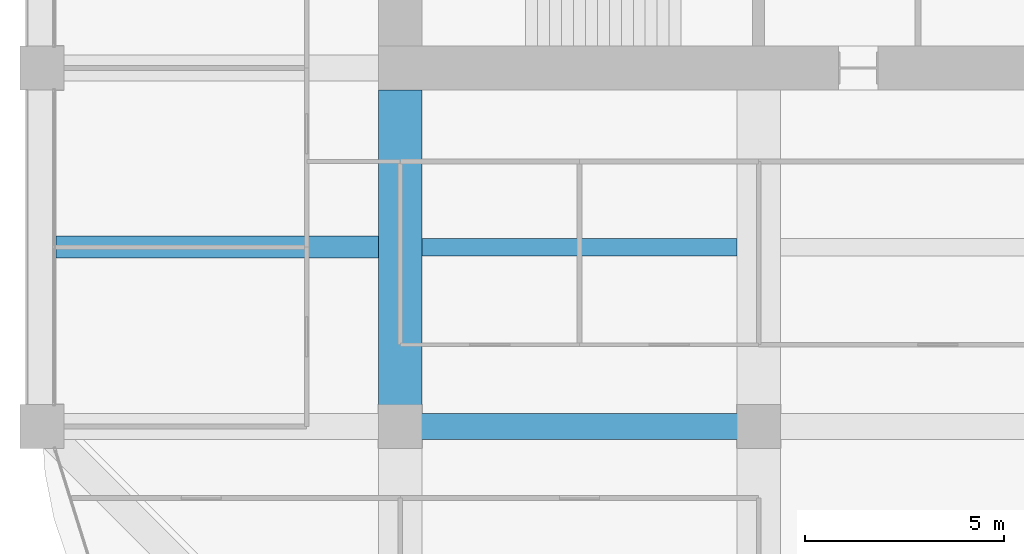
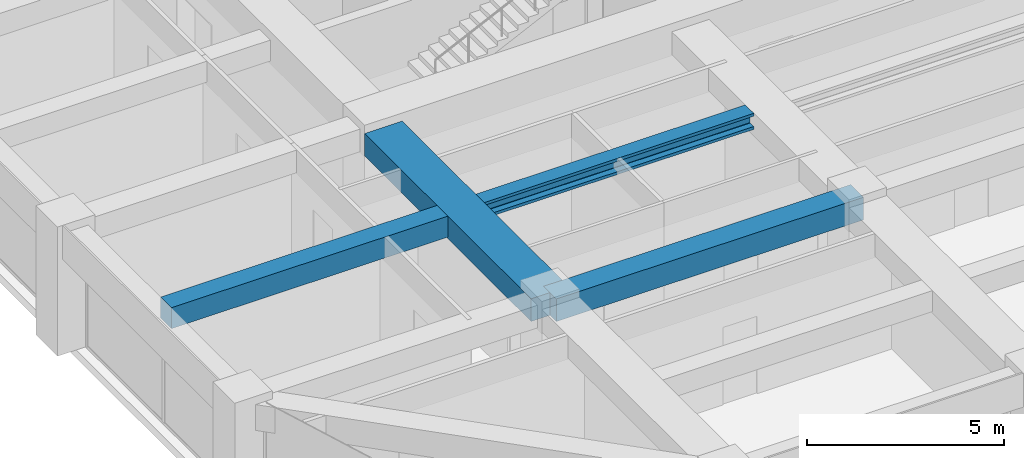
# One storey, part 8 of 44: 4 beams.
"""IFC4 building model written with IfcOpenShell, lengths in metres."""

from ifc_helpers import new_model, si_unit, direction, frame, origin, origin_2d, place, context, subcontext, project, spatial, rectangle, i_section, extrude, material, material_profile, profile_set, type_object, element, save


model = new_model("IFC4")

# Units and contexts
model_context = context("Model", 3, precision=1e-05, world=origin(), true_north=direction((0.0, 1.0)))
body_context = subcontext(model_context, "Body", "Model", "MODEL_VIEW")
ifc_project = project(units=[si_unit("LENGTHUNIT", "METRE"), si_unit("AREAUNIT", "SQUARE_METRE"), si_unit("VOLUMEUNIT", "CUBIC_METRE"), si_unit("PLANEANGLEUNIT", "RADIAN"), si_unit("MASSUNIT", "GRAM", prefix="KILO")], contexts=[model_context])

# Site, building, storey
site_placement = place(None, origin())
site = spatial("IfcSite", under=ifc_project, at=site_placement, CompositionType="ELEMENT")
building_placement = place(site_placement, origin())
building = spatial("IfcBuilding", under=site, at=building_placement, Name="Zorevar Civic Tower", CompositionType="ELEMENT")
storey_placement = place(building_placement, frame((0.0, 0.0, 287.39990234375)))
storey = spatial("IfcBuildingStorey", under=building, at=storey_placement, Name="L70", CompositionType="ELEMENT", Elevation=287.39990234375)

# Beams
ifc_material_1 = material(Name="Concrete C50/60", Category="concrete")
ifc_material_profile_1 = material_profile(ifc_material_1, rectangle(XDim=1.10009765625, YDim=0.699951171875, at=origin_2d()), Name="RC 1100x700")
ifc_profile_set_1 = profile_set([ifc_material_profile_1], Name="Concrete C50/60")
beam_type_1 = type_object("IfcBeamType", Name="Beam RC 1100x700", PredefinedType="BEAM", material=ifc_profile_set_1)
beam_1_placement = place(storey_placement, frame((18.0, 9.0, 3.400146484375), z_axis=(0.0, 1.0, 0.0), x_axis=(-1.0, 0.0, 0.0)))
element("IfcBeam", 1, at=beam_1_placement, inside=storey, type_object=beam_type_1, Name="Girder L71", PredefinedType="BEAM", context=body_context, shape_type="SweptSolid", body=[
    extrude(rectangle(XDim=1.10009765625, YDim=0.699951171875, at=origin_2d()), origin(), (0.0, 0.0, 1.0), 8.449951171875),
])
ifc_material_2 = material(Name="Concrete C50/60", Category="concrete")
ifc_material_profile_2 = material_profile(ifc_material_2, rectangle(XDim=0.550048828125, YDim=0.64990234375, at=origin_2d()), Name="RC 550x650")
ifc_profile_set_2 = profile_set([ifc_material_profile_2], Name="Concrete C50/60")
beam_type_2 = type_object("IfcBeamType", Name="Beam RC 550x650", PredefinedType="BEAM", material=ifc_profile_set_2)
beam_2_placement = place(storey_placement, frame((9.35009765625, 13.5, 3.425048828125), z_axis=(1.0, 0.0, 0.0), x_axis=(0.0, 1.0, 0.0)))
element("IfcBeam", 2, at=beam_2_placement, inside=storey, type_object=beam_type_2, Name="Secondary beam L71", PredefinedType="BEAM", context=body_context, shape_type="SweptSolid", body=[
    extrude(rectangle(XDim=0.550048828125, YDim=0.64990234375, at=origin_2d()), origin(), (0.0, 0.0, 1.0), 8.099853515625),
])
ifc_material_3 = material(Name="Concrete C50/60", Category="concrete")
ifc_material_profile_3 = material_profile(ifc_material_3, rectangle(XDim=0.64990234375, YDim=0.699951171875, at=origin_2d()), Name="RC 650x700")
ifc_profile_set_3 = profile_set([ifc_material_profile_3], Name="Concrete C50/60")
beam_type_3 = type_object("IfcBeamType", Name="Beam RC 650x700", PredefinedType="BEAM", material=ifc_profile_set_3)
beam_3_placement = place(storey_placement, frame((18.0, 9.0, 3.400146484375), z_axis=(1.0, 0.0, 0.0), x_axis=(0.0, 1.0, 0.0)))
element("IfcBeam", 3, at=beam_3_placement, inside=storey, type_object=beam_type_3, Name="Girder L71", PredefinedType="BEAM", context=body_context, shape_type="SweptSolid", body=[
    extrude(rectangle(XDim=0.64990234375, YDim=0.699951171875, at=origin_2d()), origin(), (0.0, 0.0, 1.0), 9.0),
])
ifc_material_4 = material(Name="Steel S460M (HISTAR 460)", Category="steel")
ifc_material_profile_4 = material_profile(ifc_material_4, i_section(OverallWidth=0.431884765625, OverallDepth=0.498046875, WebThickness=0.0556640625, FlangeThickness=0.0888671875, FilletRadius=0.014892578125, at=origin_2d()), Name="HD 400x744")
ifc_profile_set_4 = profile_set([ifc_material_profile_4], Name="Steel S460M (HISTAR 460)")
beam_type_4 = type_object("IfcBeamType", Name="Core bay beam HD 400x744", PredefinedType="BEAM", material=ifc_profile_set_4)
beam_4_placement = place(storey_placement, frame((18.550048828125, 13.5, 3.5009765625), z_axis=(1.0, 0.0, 0.0), x_axis=(0.0, 1.0, 0.0)))
element("IfcBeam", 4, at=beam_4_placement, inside=storey, type_object=beam_type_4, Name="Secondary beam L71", PredefinedType="BEAM", context=body_context, shape_type="SweptSolid", body=[
    extrude(i_section(OverallWidth=0.431884765625, OverallDepth=0.498046875, WebThickness=0.0556640625, FlangeThickness=0.0888671875, FilletRadius=0.014892578125, at=origin_2d()), origin(), (0.0, 0.0, 1.0), 7.89990234375),
])

save(model, "model.ifc")
